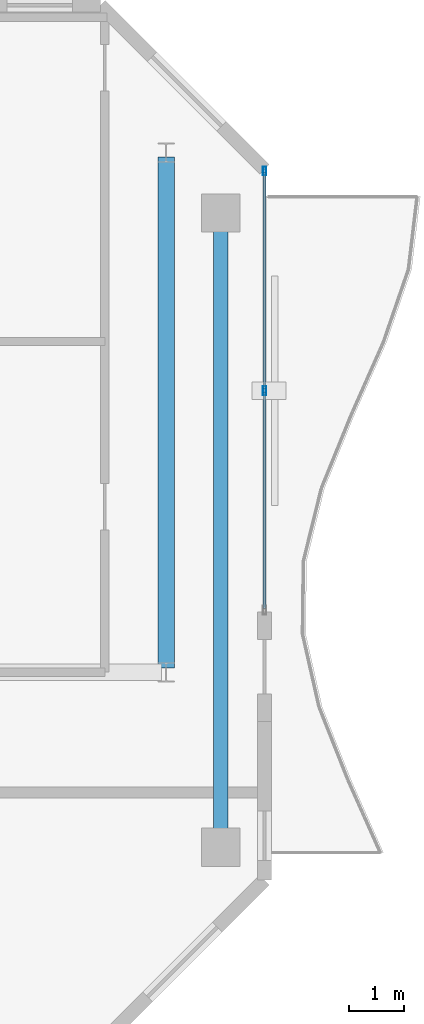
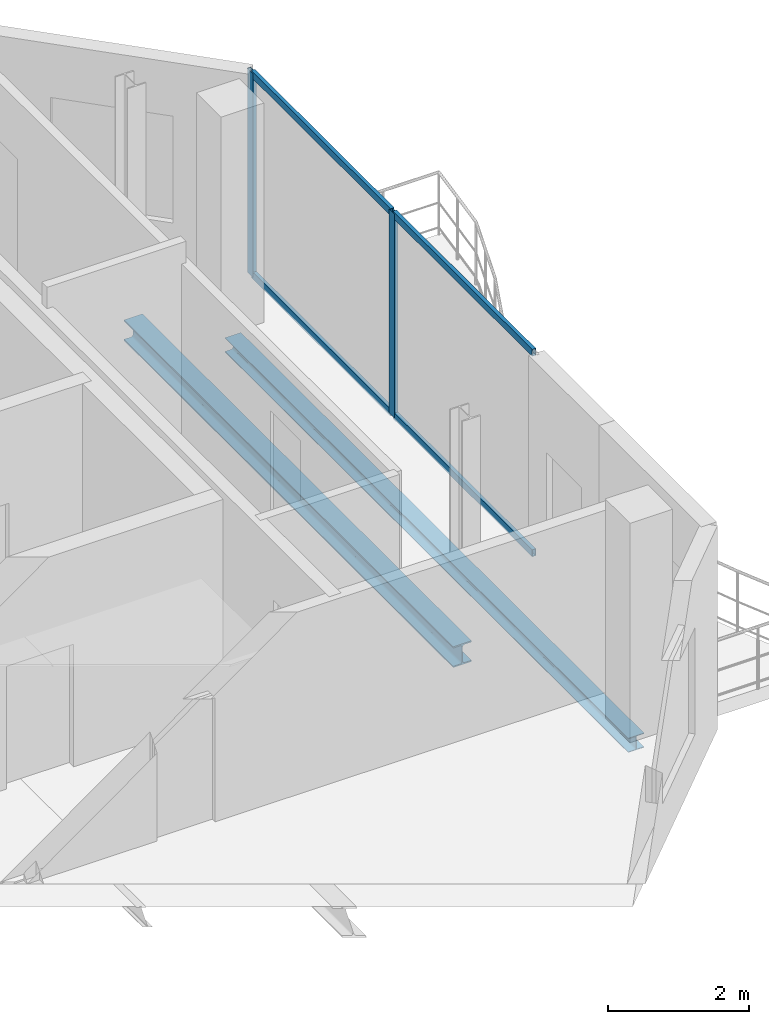
# One storey, part 15 of 23: 6 members, 2 beams, 1 element without a shape of its own.
"""IFC4 building model written with IfcOpenShell, lengths in metres."""

from ifc_helpers import new_model, si_unit, direction, frame, origin, origin_2d, place, context, subcontext, project, spatial, hollow_rectangle, i_section, extrude, material, layer, layer_set, material_profile, profile_set, type_object, element, aggregate, save


model = new_model("IFC4")

# Units and contexts
model_context = context("Model", 3, precision=1e-05, world=origin(), true_north=direction((0.0, 1.0)))
body_context = subcontext(model_context, "Body", "Model", "MODEL_VIEW")
ifc_project = project(units=[si_unit("LENGTHUNIT", "METRE"), si_unit("AREAUNIT", "SQUARE_METRE"), si_unit("VOLUMEUNIT", "CUBIC_METRE"), si_unit("PLANEANGLEUNIT", "RADIAN"), si_unit("MASSUNIT", "GRAM", prefix="KILO")], contexts=[model_context])

# Site, building, storey
site_placement = place(None, origin())
site = spatial("IfcSite", under=ifc_project, at=site_placement, CompositionType="ELEMENT")
building_placement = place(site_placement, origin())
building = spatial("IfcBuilding", under=site, at=building_placement, Name="Catumbela Crestline Tower", CompositionType="ELEMENT")
storey_placement = place(building_placement, frame((0.0, 0.0, 248.8)))
storey = spatial("IfcBuildingStorey", under=building, at=storey_placement, Name="L64", CompositionType="ELEMENT", Elevation=248.8)

# Beam
ifc_material_1 = material(Name="Structural steel S355J2", Category="steel")
ifc_material_profile_1 = material_profile(ifc_material_1, i_section(OverallWidth=0.3, OverallDepth=0.36, WebThickness=0.0125, FlangeThickness=0.0225, FilletRadius=0.027, at=origin_2d()), Name="HEB 360")
ifc_profile_set_1 = profile_set([ifc_material_profile_1], Name="Structural steel S355J2")
beam_type_1 = type_object("IfcBeamType", Name="BG-HEB360", PredefinedType="BEAM", material=ifc_profile_set_1)
beam_1_placement = place(storey_placement, frame((44.2, 30.88, -0.44), z_axis=(0.0, 1.0, 0.0), x_axis=(-1.0, 0.0, 0.0)))
element("IfcBeam", 1, at=beam_1_placement, inside=storey, type_object=beam_type_1, Name="L64 Beam BM-L64-SN19", PredefinedType="BEAM", context=body_context, shape_type="SweptSolid", body=[
    extrude(i_section(OverallWidth=0.3, OverallDepth=0.36, WebThickness=0.0125, FlangeThickness=0.0225, FilletRadius=0.027, at=origin_2d()), origin(), (0.0, 0.0, 1.0), 9.34),
])

# Curtain wall, members
ifc_material_2 = material(Name="Aluminium alloy AW-6060-T66", Category="aluminium")
ifc_layer = layer(ifc_material_2, 0.18, Name="Aluminium alloy AW-6060-T66")
ifc_layer_set = layer_set([ifc_layer], Name="Aluminium alloy AW-6060-T66")
curtain_wall_type = type_object("IfcCurtainWallType", Name="CWU-Z4", PredefinedType="USERDEFINED", material=ifc_layer_set)
curtain_wall_placement = place(storey_placement, origin())
curtain_wall = element("IfcCurtainWall", 2, at=curtain_wall_placement, inside=storey, type_object=curtain_wall_type, Name="L64 Unitised Curtain Wall CW-L64-E5S2", ObjectType="UNITISED", PredefinedType="USERDEFINED")
ifc_material_profile_2 = material_profile(ifc_material_2, hollow_rectangle(XDim=0.06, YDim=0.16, WallThickness=0.004, at=origin_2d()), Name="ALU 160x60x4")
ifc_profile_set_2 = profile_set([ifc_material_profile_2], Name="Aluminium alloy AW-6060-T66")
member_type_1 = type_object("IfcMemberType", Name="MUL-160X60", PredefinedType="MULLION", material=ifc_profile_set_2)
member_1_placement = place(storey_placement, frame((46.0, 35.95, 0.0), z_axis=(0.0, 0.0, 1.0), x_axis=(-1.0, 0.0, 0.0)))
member_1 = element("IfcMember", 3, at=member_1_placement, type_object=member_type_1, Name="CWU-Z4 mullion 2", PredefinedType="MULLION", context=body_context, shape_type="SweptSolid", body=[
    extrude(hollow_rectangle(XDim=0.06, YDim=0.16, WallThickness=0.004, at=origin_2d()), origin(), (0.0, 0.0, 1.0), 3.53),
])
member_2_placement = place(storey_placement, frame((46.0, 39.9675, 0.0), z_axis=(0.0, 0.0, 1.0), x_axis=(-1.0, 0.0, 0.0)))
member_2 = element("IfcMember", 4, at=member_2_placement, type_object=member_type_1, Name="CWU-Z4 mullion 3", PredefinedType="MULLION", context=body_context, shape_type="SweptSolid", body=[
    extrude(hollow_rectangle(XDim=0.06, YDim=0.16, WallThickness=0.004, at=origin_2d()), origin(), (0.0, 0.0, 1.0), 3.53),
])

# Beam
ifc_material_profile_3 = material_profile(ifc_material_1, i_section(OverallWidth=0.26, OverallDepth=0.25, WebThickness=0.0075, FlangeThickness=0.0125, FilletRadius=0.024, at=origin_2d()), Name="HEA 260")
ifc_profile_set_3 = profile_set([ifc_material_profile_3], Name="Structural steel S355J2")
beam_type_2 = type_object("IfcBeamType", Name="BS-HEA260", PredefinedType="SPANDREL", material=ifc_profile_set_3)
beam_2_placement = place(storey_placement, frame((45.2, 27.68, -0.385), z_axis=(0.0, 1.0, 0.0), x_axis=(-1.0, 0.0, 0.0)))
element("IfcBeam", 5, at=beam_2_placement, inside=storey, type_object=beam_type_2, Name="L64 Spandrel SP-L64-SN20", PredefinedType="SPANDREL", context=body_context, shape_type="SweptSolid", body=[
    extrude(i_section(OverallWidth=0.26, OverallDepth=0.25, WebThickness=0.0075, FlangeThickness=0.0125, FilletRadius=0.024, at=origin_2d()), origin(), (0.0, 0.0, 1.0), 11.44),
])

# Member
ifc_material_profile_4 = material_profile(ifc_material_2, hollow_rectangle(XDim=0.06, YDim=0.12, WallThickness=0.0035, at=origin_2d()), Name="ALU 120x60x3.5")
ifc_profile_set_4 = profile_set([ifc_material_profile_4], Name="Aluminium alloy AW-6060-T66")
member_type_2 = type_object("IfcMemberType", Name="TRN-120X60", PredefinedType="USERDEFINED", material=ifc_profile_set_4)
member_3_placement = place(storey_placement, frame((46.0, 31.965, 0.03), z_axis=(0.0, 1.0, 0.0), x_axis=(-1.0, 0.0, 0.0)))
member_3 = element("IfcMember", 6, at=member_3_placement, type_object=member_type_2, Name="CWU-Z4 transom 1.1", ObjectType="TRANSOM", PredefinedType="USERDEFINED", context=body_context, shape_type="SweptSolid", body=[
    extrude(hollow_rectangle(XDim=0.06, YDim=0.12, WallThickness=0.0035, at=origin_2d()), origin(), (0.0, 0.0, 1.0), 3.9525),
])

member_4_placement = place(storey_placement, frame((46.0, 31.965, 3.5), z_axis=(0.0, 1.0, 0.0), x_axis=(-1.0, 0.0, 0.0)))
member_4 = element("IfcMember", 7, at=member_4_placement, type_object=member_type_2, Name="CWU-Z4 transom 1.2", ObjectType="TRANSOM", PredefinedType="USERDEFINED", context=body_context, shape_type="SweptSolid", body=[
    extrude(hollow_rectangle(XDim=0.06, YDim=0.12, WallThickness=0.0035, at=origin_2d()), origin(), (0.0, 0.0, 1.0), 3.9525),
])

member_5_placement = place(storey_placement, frame((46.0, 35.9825, 0.03), z_axis=(0.0, 1.0, 0.0), x_axis=(-1.0, 0.0, 0.0)))
member_5 = element("IfcMember", 8, at=member_5_placement, type_object=member_type_2, Name="CWU-Z4 transom 2.1", ObjectType="TRANSOM", PredefinedType="USERDEFINED", context=body_context, shape_type="SweptSolid", body=[
    extrude(hollow_rectangle(XDim=0.06, YDim=0.12, WallThickness=0.0035, at=origin_2d()), origin(), (0.0, 0.0, 1.0), 3.9525),
])

member_6_placement = place(storey_placement, frame((46.0, 35.9825, 3.5), z_axis=(0.0, 1.0, 0.0), x_axis=(-1.0, 0.0, 0.0)))
member_6 = element("IfcMember", 9, at=member_6_placement, type_object=member_type_2, Name="CWU-Z4 transom 2.2", ObjectType="TRANSOM", PredefinedType="USERDEFINED", context=body_context, shape_type="SweptSolid", body=[
    extrude(hollow_rectangle(XDim=0.06, YDim=0.12, WallThickness=0.0035, at=origin_2d()), origin(), (0.0, 0.0, 1.0), 3.9525),
])

aggregate(curtain_wall, [member_1, member_2, member_3, member_4, member_5, member_6])

save(model, "model.ifc")
